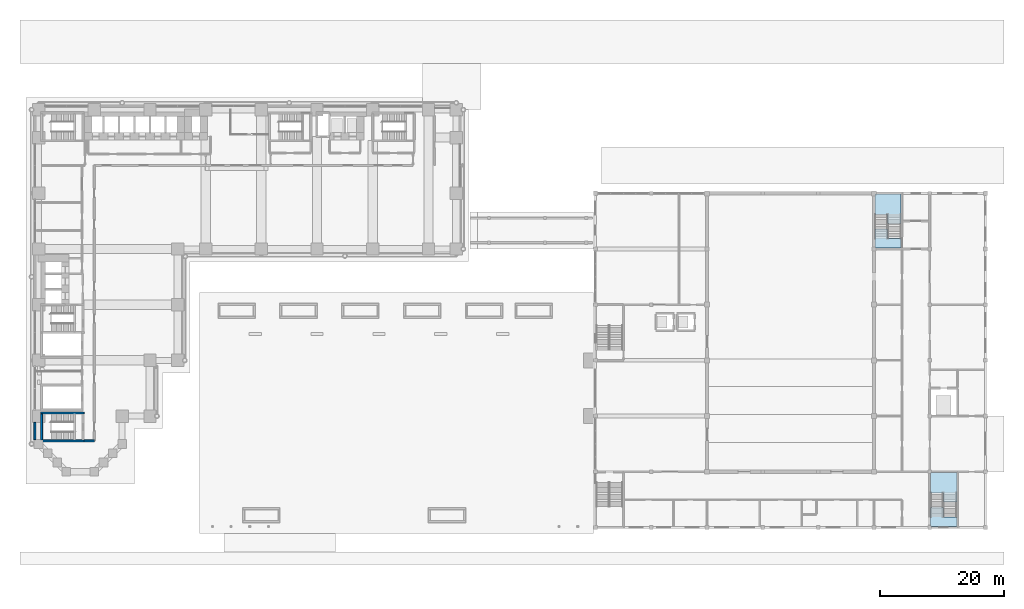
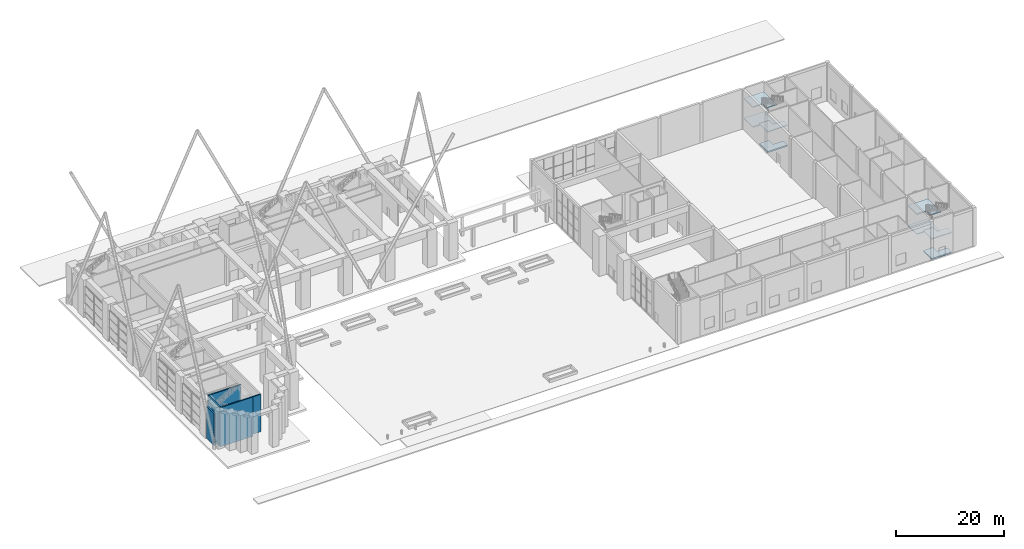
# One storey, part 26 of 44: 8 slabs, 5 walls, 2 elements without a shape of their own.
"""IFC4 building model written with IfcOpenShell, lengths in metres."""

from ifc_helpers import new_model, si_unit, direction, frame, frame_2d, origin, place, context, subcontext, project, spatial, polyline, rectangle, outline, extrude, material, layer, layer_set, type_object, element, aggregate, save


model = new_model("IFC4")

# Units and contexts
model_context = context("Model", 3, precision=1e-05, world=origin(), true_north=direction((0.0, 1.0)))
body_context = subcontext(model_context, "Body", "Model", "MODEL_VIEW")
ifc_project = project(units=[si_unit("LENGTHUNIT", "METRE"), si_unit("AREAUNIT", "SQUARE_METRE"), si_unit("VOLUMEUNIT", "CUBIC_METRE"), si_unit("PLANEANGLEUNIT", "RADIAN"), si_unit("MASSUNIT", "GRAM", prefix="KILO")], contexts=[model_context])

# Site, building, storey
site_placement = place(None, origin())
site = spatial("IfcSite", under=ifc_project, at=site_placement, CompositionType="ELEMENT")
building_placement = place(site_placement, origin())
building = spatial("IfcBuilding", under=site, at=building_placement, Name="Firuza Court", CompositionType="ELEMENT")
storey_placement = place(building_placement, origin())
storey = spatial("IfcBuildingStorey", under=building, at=storey_placement, Name="L00", CompositionType="ELEMENT", Elevation=0.0)

# Slabs
ifc_material_1 = material(Name="Concrete C40/50", Category="concrete")
ifc_layer_1 = layer(ifc_material_1, 0.300048828125)
ifc_layer_set_1 = layer_set([ifc_layer_1], Name="Concrete C40/50")
slab_type_1 = type_object("IfcSlabType", Name="HALL FLAT SLAB 300", PredefinedType="FLOOR", material=ifc_layer_set_1)
slab_1_placement = place(storey_placement, frame((0.0, 0.0, -0.300048828125)))
element("IfcSlab", 1, at=slab_1_placement, inside=storey, type_object=slab_type_1, Name="Floor slab L00.1", PredefinedType="FLOOR", context=body_context, shape_type="SweptSolid", body=[
    extrude(outline(polyline([(144.125, -8.875), (144.125, -5.800048828125), (146.199951171875, -5.800048828125), (146.199951171875, -7.2900390625), (148.375, -7.2900390625), (148.375, -8.875), (144.125, -8.875)])), origin(), (0.0, 0.0, 1.0), 0.300048828125),
])
slab_2_placement = place(storey_placement, frame((0.0, 0.0, -0.300048828125)))
element("IfcSlab", 2, at=slab_2_placement, inside=storey, type_object=slab_type_1, Name="Floor slab L00.6", PredefinedType="FLOOR", context=body_context, shape_type="SweptSolid", body=[
    extrude(outline(polyline([(135.125, 36.125), (135.125, 39.199951171875), (137.199951171875, 39.199951171875), (137.199951171875, 37.7099609375), (139.375, 37.7099609375), (139.375, 36.125), (135.125, 36.125)])), origin(), (0.0, 0.0, 1.0), 0.300048828125),
])

# Stair, slabs
ifc_material_2 = material(Name="Concrete C40/50", Category="concrete")
stair_type = type_object("IfcStairType", Name="HALL STAIR", PredefinedType="NOTDEFINED", material=ifc_material_2)
stair_1_placement = place(storey_placement, origin())
stair_1 = element("IfcStair", 3, at=stair_1_placement, inside=storey, type_object=stair_type, Name="Stair H2 L00", PredefinedType="NOTDEFINED")
ifc_layer_2 = layer(ifc_material_1, 0.199951171875)
ifc_layer_set_2 = layer_set([ifc_layer_2], Name="Concrete C40/50")
slab_type_2 = type_object("IfcSlabType", Name="HALL STAIR LANDING 200", PredefinedType="LANDING", material=ifc_layer_set_2)
slab_3_placement = place(storey_placement, frame((0.0, 0.0, 2.050048828125)))
slab_3 = element("IfcSlab", 4, at=slab_3_placement, type_object=slab_type_2, Name="HS-2 landing 1", PredefinedType="LANDING", context=body_context, shape_type="SweptSolid", body=[
    extrude(outline(polyline([(144.125, -3.389892578125), (146.199951171875, -3.389892578125), (146.199951171875, -4.8798828125), (148.375, -4.8798828125), (148.375, -0.125), (144.125, -0.125), (144.125, -3.389892578125)])), origin(), (0.0, 0.0, 1.0), 0.199951171875),
])
slab_4_placement = place(storey_placement, frame((0.0, 0.0, 4.300048828125)))
slab_4 = element("IfcSlab", 5, at=slab_4_placement, type_object=slab_type_2, Name="HS-2 landing 2", PredefinedType="LANDING", context=body_context, shape_type="SweptSolid", body=[
    extrude(outline(polyline([(144.125, -8.875), (148.375, -8.875), (148.375, -7.2900390625), (146.199951171875, -7.2900390625), (146.199951171875, -5.800048828125), (144.125, -5.800048828125), (144.125, -8.875)])), origin(), (0.0, 0.0, 1.0), 0.199951171875),
])
slab_5_placement = place(storey_placement, frame((0.0, 0.0, 6.550048828125)))
slab_5 = element("IfcSlab", 6, at=slab_5_placement, type_object=slab_type_2, Name="HS-2 landing 3", PredefinedType="LANDING", context=body_context, shape_type="SweptSolid", body=[
    extrude(outline(polyline([(144.125, -3.389892578125), (146.199951171875, -3.389892578125), (146.199951171875, -4.8798828125), (148.375, -4.8798828125), (148.375, -0.125), (144.125, -0.125), (144.125, -3.389892578125)])), origin(), (0.0, 0.0, 1.0), 0.199951171875),
])
aggregate(stair_1, [slab_3, slab_4, slab_5])

stair_2_placement = place(storey_placement, origin())
stair_2 = element("IfcStair", 7, at=stair_2_placement, inside=storey, type_object=stair_type, Name="Stair H4 L00", PredefinedType="NOTDEFINED")
slab_6_placement = place(storey_placement, frame((0.0, 0.0, 2.050048828125)))
slab_6 = element("IfcSlab", 8, at=slab_6_placement, type_object=slab_type_2, Name="HS-4 landing 1", PredefinedType="LANDING", context=body_context, shape_type="SweptSolid", body=[
    extrude(outline(polyline([(135.125, 41.610107421875), (137.199951171875, 41.610107421875), (137.199951171875, 40.1201171875), (139.375, 40.1201171875), (139.375, 44.875), (135.125, 44.875), (135.125, 41.610107421875)])), origin(), (0.0, 0.0, 1.0), 0.199951171875),
])
slab_7_placement = place(storey_placement, frame((0.0, 0.0, 4.300048828125)))
slab_7 = element("IfcSlab", 9, at=slab_7_placement, type_object=slab_type_2, Name="HS-4 landing 2", PredefinedType="LANDING", context=body_context, shape_type="SweptSolid", body=[
    extrude(outline(polyline([(135.125, 36.125), (139.375, 36.125), (139.375, 37.7099609375), (137.199951171875, 37.7099609375), (137.199951171875, 39.199951171875), (135.125, 39.199951171875), (135.125, 36.125)])), origin(), (0.0, 0.0, 1.0), 0.199951171875),
])
slab_8_placement = place(storey_placement, frame((0.0, 0.0, 6.550048828125)))
slab_8 = element("IfcSlab", 10, at=slab_8_placement, type_object=slab_type_2, Name="HS-4 landing 3", PredefinedType="LANDING", context=body_context, shape_type="SweptSolid", body=[
    extrude(outline(polyline([(135.125, 41.610107421875), (137.199951171875, 41.610107421875), (137.199951171875, 40.1201171875), (139.375, 40.1201171875), (139.375, 44.875), (135.125, 44.875), (135.125, 41.610107421875)])), origin(), (0.0, 0.0, 1.0), 0.199951171875),
])
aggregate(stair_2, [slab_6, slab_7, slab_8])

# Walls
ifc_material_3 = material(Name="Concrete C60/75", Category="concrete")
ifc_layer_3 = layer(ifc_material_3, 0.300048828125)
ifc_layer_set_3 = layer_set([ifc_layer_3], Name="Concrete C60/75")
wall_type_1 = type_object("IfcWallType", Name="Core wall 300 C60/75", PredefinedType="SHEAR", material=ifc_layer_set_3)
for number, where, z_axis, x_axis, name in (
    (11, (0.35009765625, 5.0, -0.449951171875), (0.0, 0.0, 1.0), (1.0, 0.0, 0.0), "Core wall stair L00"),
    (12, (0.35009765625, 9.5, -0.449951171875), (0.0, 0.0, 1.0), (1.0, 0.0, 0.0), "Core wall stair L00"),
):
    element("IfcWall", number, at=place(storey_placement, frame(where, z_axis=z_axis, x_axis=x_axis)), inside=storey, type_object=wall_type_1, Name=name, PredefinedType="SHEAR", context=body_context, shape_type="SweptSolid", body=[
        extrude(rectangle(XDim=7.0, YDim=0.300048828125, at=frame_2d((3.5, 0.0))), origin(), (0.0, 0.0, 1.0), 8.849853515625),
    ])
wall_1_placement = place(storey_placement, frame((0.5, 5.14990234375, -0.449951171875), z_axis=(0.0, 0.0, 1.0), x_axis=(0.0, 1.0, 0.0)))
element("IfcWall", 13, at=wall_1_placement, inside=storey, type_object=wall_type_1, Name="Core wall stair L00", PredefinedType="SHEAR", context=body_context, shape_type="SweptSolid", body=[
    extrude(rectangle(XDim=4.2001953125, YDim=0.300048828125, at=frame_2d((2.10009765625, 0.0))), origin(), (0.0, 0.0, 1.0), 8.849853515625),
])
ifc_material_4 = material(Name="Concrete C40/50 precast", Category="concrete")
ifc_layer_4 = layer(ifc_material_4, 0.300048828125)
ifc_layer_set_4 = layer_set([ifc_layer_4], Name="Concrete C40/50 precast")
wall_type_2 = type_object("IfcWallType", Name="Ground floor enclosure wall 300", PredefinedType="SOLIDWALL", material=ifc_layer_set_4)
wall_2_placement = place(storey_placement, frame((7.35009765625, 5.0, 0.0), z_axis=(0.0, 0.0, 1.0), x_axis=(1.0, 0.0, 0.0)))
element("IfcWall", 14, at=wall_2_placement, inside=storey, type_object=wall_type_2, Name="Ground floor enclosure wall 300 L00", PredefinedType="SOLIDWALL", context=body_context, shape_type="SweptSolid", body=[
    extrude(rectangle(XDim=1.64990234375, YDim=0.300048828125, at=frame_2d((0.824951171875, 0.0))), origin(), (0.0, 0.0, 1.0), 8.39990234375),
])
ifc_material_5 = material(Name="Ceramic tile", Category="ceramic")
ifc_layer_5 = layer(ifc_material_5, 0.02001953125)
ifc_material_6 = material(Name="Mineral wool insulation", Category="insulation")
ifc_layer_6 = layer(ifc_material_6, 0.1298828125)
ifc_layer_7 = layer(ifc_material_4, 0.14990234375)
ifc_layer_set_5 = layer_set([ifc_layer_5, ifc_layer_6, ifc_layer_7], Name="Concrete C40/50 precast")
wall_type_3 = type_object("IfcWallType", Name="Precast spandrel wall with turquoise TILE PANEL face 300", PredefinedType="STANDARD", material=ifc_layer_set_5)
wall_3_placement = place(storey_placement, frame((-0.60009765625, 8.0, 0.0), z_axis=(0.0, 0.0, 1.0), x_axis=(0.0, -1.0, 0.0)))
element("IfcWall", 15, at=wall_3_placement, inside=storey, type_object=wall_type_3, Name="Facade wall L00 W", PredefinedType="STANDARD", context=body_context, shape_type="SweptSolid", body=[
    extrude(rectangle(XDim=2.800048828125, YDim=0.300048828125, at=frame_2d((1.39990234375, 0.0))), origin(), (0.0, 0.0, 1.0), 7.199951171875),
])

save(model, "model.ifc")
